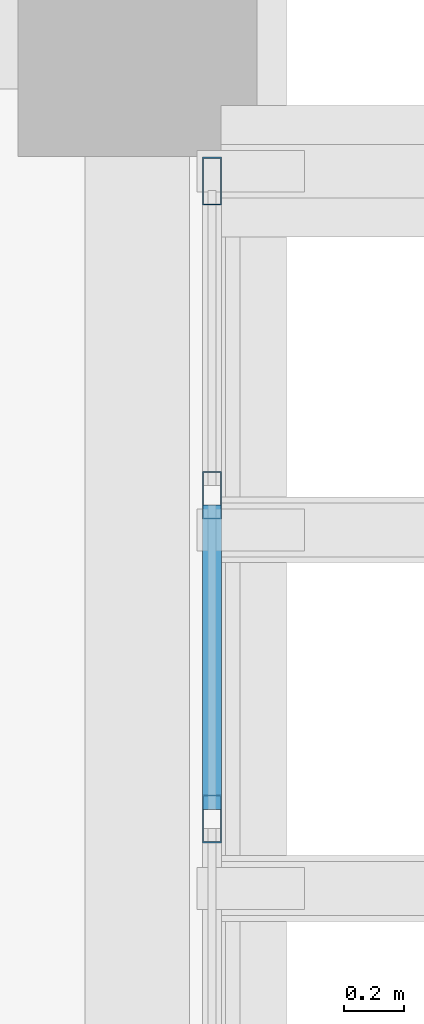
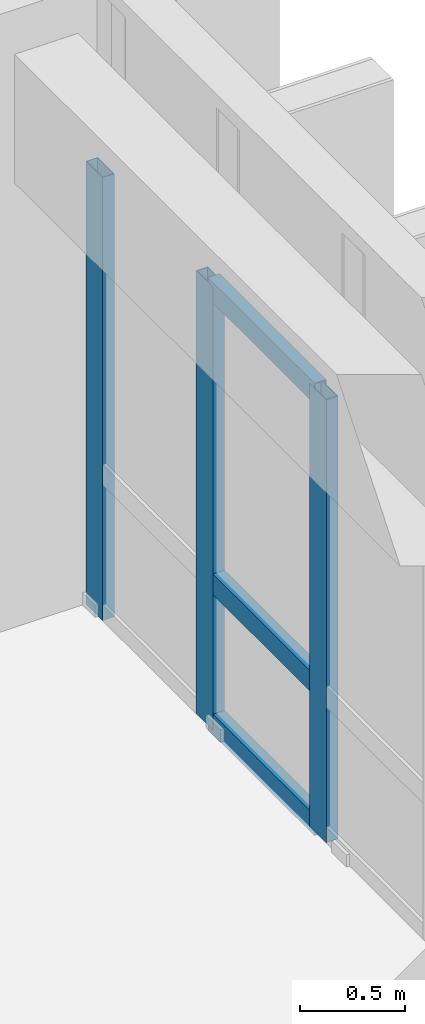
# One storey, part 56 of 82: 6 members, 1 element without a shape of its own.
"""IFC4 building model written with IfcOpenShell, lengths in metres."""

from ifc_helpers import new_model, si_unit, direction, frame, origin, origin_2d, place, context, subcontext, project, spatial, hollow_rectangle, extrude, material, layer, layer_set, material_profile, profile_set, type_object, element, aggregate, save


model = new_model("IFC4")

# Units and contexts
model_context = context("Model", 3, precision=1e-05, world=origin(), true_north=direction((0.0, 1.0)))
body_context = subcontext(model_context, "Body", "Model", "MODEL_VIEW")
ifc_project = project(units=[si_unit("LENGTHUNIT", "METRE"), si_unit("AREAUNIT", "SQUARE_METRE"), si_unit("VOLUMEUNIT", "CUBIC_METRE"), si_unit("PLANEANGLEUNIT", "RADIAN"), si_unit("MASSUNIT", "GRAM", prefix="KILO")], contexts=[model_context])

# Site, building, storey
site_placement = place(None, origin())
site = spatial("IfcSite", under=ifc_project, at=site_placement, CompositionType="ELEMENT")
building_placement = place(site_placement, origin())
building = spatial("IfcBuilding", under=site, at=building_placement, Name="Nakhvara Creek Congress Hotel", CompositionType="ELEMENT")
storey_placement = place(building_placement, frame((0.0, 0.0, 21.0)))
storey = spatial("IfcBuildingStorey", under=building, at=storey_placement, Name="L04", CompositionType="ELEMENT", Elevation=21.0)

# Curtain wall, members
ifc_material_1 = material(Name="Bronze-anodised aluminium AW-6063-T6 and double-silver low-E glass", Category="aluminium")
ifc_layer = layer(ifc_material_1, 0.199951171875)
ifc_layer_set = layer_set([ifc_layer], Name="Bronze-anodised aluminium AW-6063-T6 and double-silver low-E glass")
curtain_wall_type = type_object("IfcCurtainWallType", Name="CW-HTL-UNIT", PredefinedType="USERDEFINED", material=ifc_layer_set)
curtain_wall_placement = place(storey_placement, origin())
curtain_wall = element("IfcCurtainWall", 1, at=curtain_wall_placement, inside=storey, type_object=curtain_wall_type, Name="Curtain Wall CW200", ObjectType="UNITISED", PredefinedType="USERDEFINED")
ifc_material_2 = material(Name="Bronze-anodised aluminium AW-6063-T6", Category="aluminium")
ifc_material_profile_1 = material_profile(ifc_material_2, hollow_rectangle(XDim=0.06494140625, YDim=0.159912109375, WallThickness=0.00390625, at=origin_2d()), Name="ALU-MULL 65x160x4", Category="LoadBearing")
ifc_profile_set_1 = profile_set([ifc_material_profile_1], Name="Bronze-anodised aluminium AW-6063-T6")
member_type_1 = type_object("IfcMemberType", Name="CW-MULL-160", PredefinedType="MULLION", material=ifc_profile_set_1)
member_1_placement = place(storey_placement, frame((179.60009765625, 124.767578125, 0.0), z_axis=(0.0, 0.0, 1.0), x_axis=(1.0, 0.0, 0.0)))
member_1 = element("IfcMember", 2, at=member_1_placement, type_object=member_type_1, Name="CW200 mullion 1", PredefinedType="MULLION", context=body_context, shape_type="SweptSolid", body=[
    extrude(hollow_rectangle(XDim=0.06494140625, YDim=0.159912109375, WallThickness=0.00390625, at=origin_2d()), origin(), (0.0, 0.0, 1.0), 2.58203125),
])
member_2_placement = place(storey_placement, frame((179.60009765625, 123.71630859375, 0.0), z_axis=(0.0, 0.0, 1.0), x_axis=(1.0, 0.0, 0.0)))
member_2 = element("IfcMember", 3, at=member_2_placement, type_object=member_type_1, Name="CW200 mullion 2", PredefinedType="MULLION", context=body_context, shape_type="SweptSolid", body=[
    extrude(hollow_rectangle(XDim=0.06494140625, YDim=0.159912109375, WallThickness=0.00390625, at=origin_2d()), origin(), (0.0, 0.0, 1.0), 2.58203125),
])
member_3_placement = place(storey_placement, frame((179.60009765625, 122.632568359375, 0.0), z_axis=(0.0, 0.0, 1.0), x_axis=(1.0, 0.0, 0.0)))
member_3 = element("IfcMember", 4, at=member_3_placement, type_object=member_type_1, Name="CW200 mullion 3", PredefinedType="MULLION", context=body_context, shape_type="SweptSolid", body=[
    extrude(hollow_rectangle(XDim=0.06494140625, YDim=0.159912109375, WallThickness=0.00390625, at=origin_2d()), origin(), (0.0, 0.0, 1.0), 2.58203125),
])
ifc_material_profile_2 = material_profile(ifc_material_2, hollow_rectangle(XDim=0.06494140625, YDim=0.1201171875, WallThickness=0.00390625, at=origin_2d()), Name="ALU-TRAN 65x120x4", Category="LoadBearing")
ifc_profile_set_2 = profile_set([ifc_material_profile_2], Name="Bronze-anodised aluminium AW-6063-T6")
member_type_2 = type_object("IfcMemberType", Name="CW-TRAN-120", PredefinedType="USERDEFINED", material=ifc_profile_set_2)
member_4_placement = place(storey_placement, frame((179.60009765625, 123.683837890625, 0.032470703125), z_axis=(0.0, -1.0, 0.0), x_axis=(1.0, 0.0, 0.0)))
member_4 = element("IfcMember", 5, at=member_4_placement, type_object=member_type_2, Name="CW200 transom 2.1", ObjectType="TRANSOM", PredefinedType="USERDEFINED", context=body_context, shape_type="SweptSolid", body=[
    extrude(hollow_rectangle(XDim=0.06494140625, YDim=0.1201171875, WallThickness=0.00390625, at=origin_2d()), origin(), (0.0, 0.0, 1.0), 1.018798828125),
])
member_5_placement = place(storey_placement, frame((179.60009765625, 123.683837890625, 0.85009765625), z_axis=(0.0, -1.0, 0.0), x_axis=(1.0, 0.0, 0.0)))
member_5 = element("IfcMember", 6, at=member_5_placement, type_object=member_type_2, Name="CW200 transom 2.2", ObjectType="TRANSOM", PredefinedType="USERDEFINED", context=body_context, shape_type="SweptSolid", body=[
    extrude(hollow_rectangle(XDim=0.06494140625, YDim=0.1201171875, WallThickness=0.00390625, at=origin_2d()), origin(), (0.0, 0.0, 1.0), 1.018798828125),
])
member_6_placement = place(storey_placement, frame((179.60009765625, 123.683837890625, 2.549560546875), z_axis=(0.0, -1.0, 0.0), x_axis=(1.0, 0.0, 0.0)))
member_6 = element("IfcMember", 7, at=member_6_placement, type_object=member_type_2, Name="CW200 transom 2.3", ObjectType="TRANSOM", PredefinedType="USERDEFINED", context=body_context, shape_type="SweptSolid", body=[
    extrude(hollow_rectangle(XDim=0.06494140625, YDim=0.1201171875, WallThickness=0.00390625, at=origin_2d()), origin(), (0.0, 0.0, 1.0), 1.018798828125),
])
aggregate(curtain_wall, [member_1, member_2, member_3, member_4, member_5, member_6])

save(model, "model.ifc")
